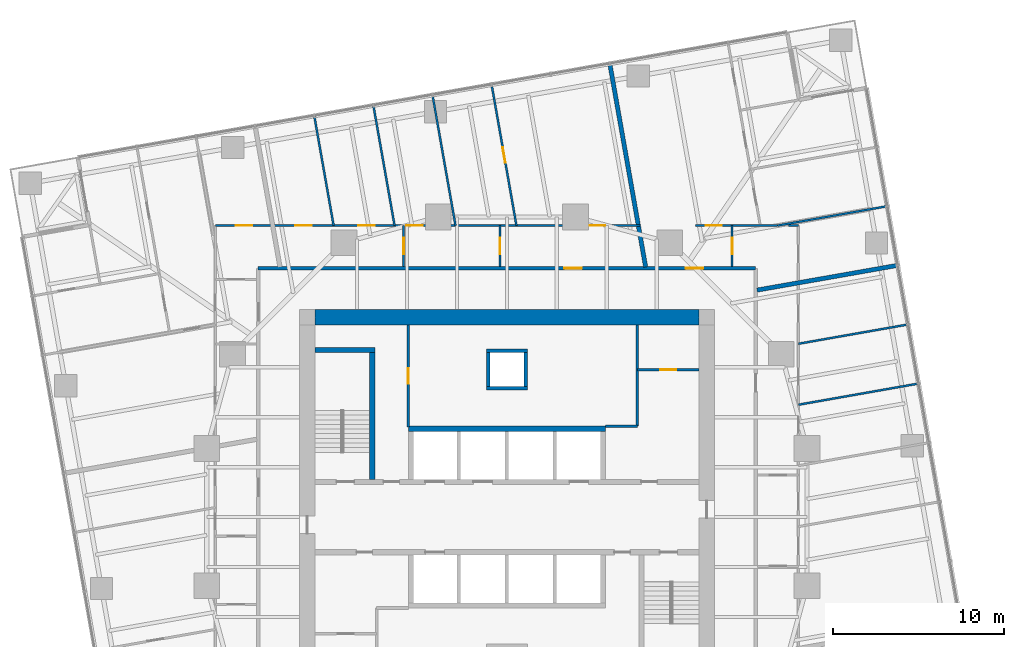
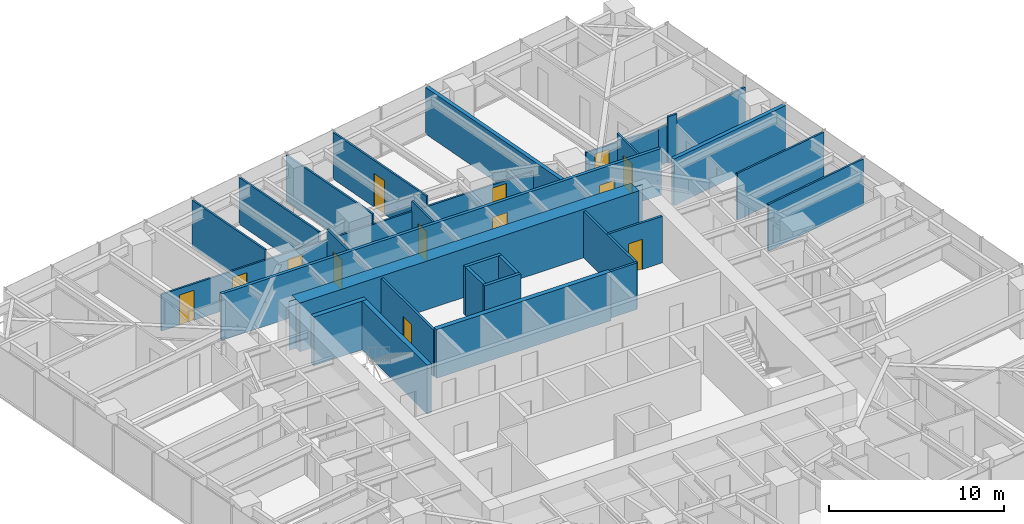
# One storey, part 12 of 14: 28 walls, 14 doors, 14 openings.
"""IFC4 building model written with IfcOpenShell, lengths in metres."""

import ifcopenshell
import ifcopenshell.guid

model = None  # the IFC model being written
_history = None  # IfcOwnerHistory: only IFC2X3 demands one
_inside = {}  # id of a spatial element -> (the spatial element, [elements in it])
_under = {}  # id of a project, library or spatial element -> (it, [spatial elements below it])
_declared = {}  # id of a project -> (the project, [libraries it declares])
_typed = {}  # id of a type object -> (the type object, [elements of that type])
_made_of = {}  # id of a material, layer set ... -> (it, [elements and type objects made of it])


def new_model(schema):
    """Start an empty IFC model of exactly this schema.

    Asked for "IFC4X3", IfcOpenShell would pick the latest addendum, in which some entities
    have other attributes; the version numbers below select the first issue.
    IFC2X3 requires an IfcOwnerHistory on every rooted entity: one is made here for all.
    """
    global model, _history
    if schema == "IFC4X3":
        model = ifcopenshell.file(schema_version=(4, 3, 0, 0))
    else:
        model = ifcopenshell.file(schema=schema)
    _inside.clear()
    _under.clear()
    _declared.clear()
    _typed.clear()
    _made_of.clear()
    _history = None
    if model.schema == "IFC2X3":
        org = make("IfcOrganization", Name="unknown")
        user = make(
            "IfcPersonAndOrganization",
            ThePerson=make("IfcPerson", FamilyName="unknown"),
            TheOrganization=org,
        )
        app = make(
            "IfcApplication",
            ApplicationDeveloper=org,
            Version="unknown",
            ApplicationFullName="unknown",
            ApplicationIdentifier="unknown",
        )
        _history = make(
            "IfcOwnerHistory",
            OwningUser=user,
            OwningApplication=app,
            ChangeAction="ADDED",
            CreationDate=0,
        )
    return model


def make(cls, **values):
    """One entity of the class cls with the attributes given. An attribute that is None is left unset."""
    return model.create_entity(
        cls, **{name: value for name, value in values.items() if value is not None}
    )


def rooted(cls, **values):
    """An entity with a GlobalId (a new one), such as an element, a storey or a relation."""
    return make(cls, GlobalId=ifcopenshell.guid.new(), OwnerHistory=_history, **values)


def si_unit(unit_type, name, prefix=None):
    """IfcSIUnit, for example si_unit("LENGTHUNIT", "METRE", prefix="MILLI")."""
    return make("IfcSIUnit", UnitType=unit_type, Prefix=prefix, Name=name)


def assignment(units):
    """IfcUnitAssignment: the units of a project."""
    return None if units is None else make("IfcUnitAssignment", Units=units)


def point(xyz):
    """IfcCartesianPoint."""
    return None if xyz is None else make("IfcCartesianPoint", Coordinates=xyz)


def direction(xyz):
    """IfcDirection."""
    return None if xyz is None else make("IfcDirection", DirectionRatios=xyz)


def frame(location, z_axis=None, x_axis=None):
    """IfcAxis2Placement3D, a coordinate frame: its origin and axes. An axis left out is left unset."""
    return make(
        "IfcAxis2Placement3D",
        Location=point(location),
        Axis=direction(z_axis),
        RefDirection=direction(x_axis),
    )


def frame_2d(location, x_axis=None):
    """IfcAxis2Placement2D, a coordinate frame in the plane: its origin and x axis."""
    return make(
        "IfcAxis2Placement2D", Location=point(location), RefDirection=direction(x_axis)
    )


def origin():
    """The frame at (0, 0, 0) with its axes left unset."""
    return frame((0.0, 0.0, 0.0))


def place(relative_to, where):
    """IfcLocalPlacement: puts the frame where relative to a parent placement (None: the world)."""
    return make(
        "IfcLocalPlacement", PlacementRelTo=relative_to, RelativePlacement=where
    )


def context(
    kind, dimensions, precision=None, world=None, true_north=None, identifier=None
):
    """IfcGeometricRepresentationContext, for example the 3D "Model" context."""
    return make(
        "IfcGeometricRepresentationContext",
        ContextIdentifier=identifier,
        ContextType=kind,
        CoordinateSpaceDimension=dimensions,
        Precision=precision,
        WorldCoordinateSystem=world,
        TrueNorth=true_north,
    )


def subcontext(parent, identifier, kind, view, scale=None):
    """IfcGeometricRepresentationSubContext, for example "Body" below "Model"."""
    return make(
        "IfcGeometricRepresentationSubContext",
        ContextIdentifier=identifier,
        ContextType=kind,
        ParentContext=parent,
        TargetScale=scale,
        TargetView=view,
    )


def project(units=None, contexts=None):
    """IfcProject with its units and contexts."""
    return rooted(
        "IfcProject",
        Name="project",
        RepresentationContexts=contexts,
        UnitsInContext=assignment(units),
    )


def spatial(cls, under=None, at=None, **own):
    """A site, building, storey or space (cls), placed at a placement, below another one or the project."""
    s = rooted(cls, ObjectPlacement=at, **own)
    if under is not None:
        _under.setdefault(under.id(), (under, []))[1].append(s)
    return s


def polyline(points):
    """IfcPolyline through the points."""
    return make("IfcPolyline", Points=[point(p) for p in points])


def profile(cls, at=None, kind="AREA", **sizes):
    """A parametric profile (cls). Its sizes go by their IFC names, for example OverallWidth=200.0."""
    return make(cls, ProfileType=kind, Position=at, **sizes)


def rectangle(**sizes):
    """IfcRectangleProfileDef."""
    return profile("IfcRectangleProfileDef", **sizes)


def outline(outer, holes=None, kind="AREA"):
    """IfcArbitraryClosedProfileDef: a profile drawn as a closed curve; with holes, ...WithVoids."""
    if holes is None:
        return make("IfcArbitraryClosedProfileDef", ProfileType=kind, OuterCurve=outer)
    return make(
        "IfcArbitraryProfileDefWithVoids",
        ProfileType=kind,
        OuterCurve=outer,
        InnerCurves=holes,
    )


def extrude(swept, where, along, depth):
    """IfcExtrudedAreaSolid: the profile swept, set in the frame where, extruded along a direction by depth."""
    return make(
        "IfcExtrudedAreaSolid",
        SweptArea=swept,
        Position=where,
        ExtrudedDirection=direction(along),
        Depth=depth,
    )


def shape(context_of_items, identifier, shape_type, items):
    """IfcShapeRepresentation: the items that make up one representation, for example the "Body"."""
    return make(
        "IfcShapeRepresentation",
        ContextOfItems=context_of_items,
        RepresentationIdentifier=identifier,
        RepresentationType=shape_type,
        Items=items,
    )


def material(Name=None, Category=None):
    """IfcMaterial."""
    return make("IfcMaterial", Name=Name, Category=Category)


def layer(
    of_material, thickness, ventilated=None, Name=None, Category=None, Priority=None
):
    """IfcMaterialLayer: one layer of a wall or slab, of a material (None: an air gap)."""
    return make(
        "IfcMaterialLayer",
        Material=of_material,
        LayerThickness=thickness,
        IsVentilated=ventilated,
        Name=Name,
        Category=Category,
        Priority=Priority,
    )


def layer_set(layers, Name=None):
    """IfcMaterialLayerSet."""
    return make("IfcMaterialLayerSet", MaterialLayers=layers, LayerSetName=Name)


def made_of(thing, what):
    """Note that an element or type object is made of a material, layer set ...; save() writes the relation."""
    if what is not None:
        _made_of.setdefault(what.id(), (what, []))[1].append(thing)
    return thing


def type_object(cls, material=None, **own):
    """A type object (cls), such as IfcWallType, which elements share."""
    return made_of(rooted(cls, **own), material)


def element(
    cls,
    number,
    at=None,
    inside=None,
    cuts=None,
    type_object=None,
    material=None,
    context=None,
    identifier="Body",
    shape_type=None,
    held_by="IfcProductDefinitionShape",
    body=None,
    shapes=None,
    **own,
):
    """One element of the class cls, such as IfcWall. Its Tag is "e" and its number.

    at: its placement. inside: the storey or other place that contains it. cuts: it is an
    opening in that element (IfcRelVoidsElement). A single representation is given by context,
    identifier, shape_type and body (its items); several are given by shapes. held_by: the class
    of the entity that holds the representations. save() writes the other relations.
    """
    e = rooted(cls, Tag="e%d" % number, ObjectPlacement=at, **own)
    if body is not None:
        shapes = [shape(context, identifier, shape_type, body)]
    if shapes is not None:
        e.Representation = make(held_by, Representations=shapes)
    if inside is not None:
        _inside.setdefault(inside.id(), (inside, []))[1].append(e)
    if cuts is not None:
        rooted(
            "IfcRelVoidsElement", RelatingBuildingElement=cuts, RelatedOpeningElement=e
        )
    if type_object is not None:
        _typed.setdefault(type_object.id(), (type_object, []))[1].append(e)
    return made_of(e, material)


def fill(opening, filler):
    """IfcRelFillsElement: the door or window that sits in an opening."""
    return rooted(
        "IfcRelFillsElement",
        RelatingOpeningElement=opening,
        RelatedBuildingElement=filler,
    )


def aggregate(whole, parts):
    """IfcRelAggregates: a whole, such as a stair, and the parts it consists of."""
    return rooted("IfcRelAggregates", RelatingObject=whole, RelatedObjects=parts)


def save(model, path):
    """Write the relations noted so far, then the file.

    IfcRelAggregates (storeys below a building ...), IfcRelContainedInSpatialStructure (elements
    in a storey), IfcRelDefinesByType, IfcRelAssociatesMaterial and IfcRelDeclares: one each for
    every whole, place, type object, material and project.
    """
    for whole, parts in _under.values():
        aggregate(whole, parts)
    for where, things in _inside.values():
        rooted(
            "IfcRelContainedInSpatialStructure",
            RelatedElements=things,
            RelatingStructure=where,
        )
    for kind, things in _typed.values():
        rooted("IfcRelDefinesByType", RelatedObjects=things, RelatingType=kind)
    for what, things in _made_of.values():
        rooted("IfcRelAssociatesMaterial", RelatedObjects=things, RelatingMaterial=what)
    for by, libraries in _declared.values():
        rooted("IfcRelDeclares", RelatingContext=by, RelatedDefinitions=libraries)
    model.write(path)


model = new_model("IFC4")

# Units and contexts
model_context = context("Model", 3, precision=1e-05, world=origin(), true_north=direction((0.0, 1.0)))
body_context = subcontext(model_context, "Body", "Model", "MODEL_VIEW")
ifc_project = project(units=[si_unit("LENGTHUNIT", "METRE"), si_unit("AREAUNIT", "SQUARE_METRE"), si_unit("VOLUMEUNIT", "CUBIC_METRE"), si_unit("PLANEANGLEUNIT", "RADIAN"), si_unit("MASSUNIT", "GRAM", prefix="KILO")], contexts=[model_context])

# Site, building, storey
site_placement = place(None, origin())
site = spatial("IfcSite", under=ifc_project, at=site_placement, CompositionType="ELEMENT")
building_placement = place(site_placement, origin())
building = spatial("IfcBuilding", under=site, at=building_placement, Name="Torsade Residences", CompositionType="ELEMENT")
storey_placement = place(building_placement, frame((0.0, 0.0, 82.800048828125)))
storey = spatial("IfcBuildingStorey", under=building, at=storey_placement, Name="L22", CompositionType="ELEMENT", Elevation=82.800048828125)

# Walls
ifc_material_1 = material(Name="Concrete 80 MPa", Category="concrete")
ifc_layer_1 = layer(ifc_material_1, 0.300048828125)
ifc_layer_set_1 = layer_set([ifc_layer_1], Name="Concrete 80 MPa")
wall_type_1 = type_object("IfcWallType", Name="CORE INTERNAL WALL 300", PredefinedType="SHEAR", material=ifc_layer_set_1)
wall_1_placement = place(storey_placement, frame((34.25, 35.14990234375, 0.0), z_axis=(0.0, 0.0, 1.0), x_axis=(1.0, 0.0, 0.0)))
element("IfcWall", 1, at=wall_1_placement, inside=storey, type_object=wall_type_1, Name="Core wall BN L22", PredefinedType="SHEAR", context=body_context, shape_type="SweptSolid", body=[
    extrude(rectangle(XDim=11.5, YDim=0.300048828125, at=frame_2d((5.75, 0.0))), origin(), (0.0, 0.0, 1.0), 3.39990234375),
])
wall_2_placement = place(storey_placement, frame((32.14990234375, 32.199951171875, 0.0), z_axis=(0.0, 0.0, 1.0), x_axis=(0.0, 1.0, 0.0)))
element("IfcWall", 2, at=wall_2_placement, inside=storey, type_object=wall_type_1, Name="Core wall ST1E L22", PredefinedType="SHEAR", context=body_context, shape_type="SweptSolid", body=[
    extrude(rectangle(XDim=7.699951171875, YDim=0.300048828125, at=frame_2d((3.85009765625, 0.0))), origin(), (0.0, 0.0, 1.0), 3.39990234375),
])
wall_3_placement = place(storey_placement, frame((28.800048828125, 39.75, 0.0), z_axis=(0.0, 0.0, 1.0), x_axis=(1.0, 0.0, 0.0)))
element("IfcWall", 3, at=wall_3_placement, inside=storey, type_object=wall_type_1, Name="Core wall ST1N L22", PredefinedType="SHEAR", context=body_context, shape_type="SweptSolid", body=[
    extrude(rectangle(XDim=3.5, YDim=0.300048828125, at=frame_2d((1.75, 0.0))), origin(), (0.0, 0.0, 1.0), 3.39990234375),
])
ifc_material_2 = material(Name="Concrete 80 MPa", Category="concrete")
ifc_layer_2 = layer(ifc_material_2, 0.89990234375)
ifc_layer_set_2 = layer_set([ifc_layer_2], Name="Concrete 80 MPa")
wall_type_2 = type_object("IfcWallType", Name="CORE WALL 900", PredefinedType="SHEAR", material=ifc_layer_set_2)
wall_4_placement = place(storey_placement, frame((28.800048828125, 41.64990234375, 0.0), z_axis=(0.0, 0.0, 1.0), x_axis=(1.0, 0.0, 0.0)))
element("IfcWall", 4, at=wall_4_placement, inside=storey, type_object=wall_type_2, Name="Core wall N L22", PredefinedType="SHEAR", context=body_context, shape_type="SweptSolid", body=[
    extrude(outline(polyline([(0.0, -0.449951171875), (22.39990234375, -0.449951171875), (22.39990234375, -0.02490234375), (22.849853515625, -0.02490234375), (22.849853515625, 0.02490234375), (22.39990234375, 0.02490234375), (22.39990234375, 0.449951171875), (0.0, 0.449951171875), (0.0, 0.02490234375), (-0.449951171875, 0.02490234375), (-0.449951171875, -0.02490234375), (0.0, -0.02490234375), (0.0, -0.449951171875)])), origin(), (0.0, 0.0, 1.0), 3.39990234375),
])

# Wall, openings, doors
ifc_material_3 = material(Name="Plasterboard on steel stud", Category="steel")
ifc_layer_3 = layer(ifc_material_3, 0.199951171875)
ifc_layer_set_3 = layer_set([ifc_layer_3], Name="Plasterboard on steel stud")
wall_type_3 = type_object("IfcWallType", Name="CORRIDOR WALL 200", PredefinedType="PARTITIONING", material=ifc_layer_set_3)
wall_5_placement = place(storey_placement, frame((54.5, 44.5, 0.0), z_axis=(0.0, 0.0, 1.0), x_axis=(-1.0, 0.0, 0.0)))
wall_5 = element("IfcWall", 5, at=wall_5_placement, inside=storey, type_object=wall_type_3, Name="Corridor wall L22", PredefinedType="PARTITIONING", context=body_context, shape_type="SweptSolid", body=[
    extrude(rectangle(XDim=29.0, YDim=0.199951171875, at=frame_2d((14.5, 0.0))), origin(), (0.0, 0.0, 1.0), 3.25),
])
opening_1_placement = place(wall_5_placement, frame((10.128662109375, 0.0, 0.0)))
opening_1 = element("IfcOpeningElement", 6, at=opening_1_placement, cuts=wall_5, Name="Opening D01", PredefinedType="OPENING", context=body_context, shape_type="SweptSolid", body=[
    extrude(rectangle(XDim=1.02001953125, YDim=2.340087890625, at=frame_2d((0.510009765625, 1.169921875))), frame((0.0, 0.10986328125, 0.0), z_axis=(0.0, -1.0, 0.0), x_axis=(1.0, 0.0, 0.0)), (0.0, 0.0, 1.0), 0.219970703125),
])
opening_2_placement = place(wall_5_placement, frame((3.0654296875, 0.0, 0.0)))
opening_2 = element("IfcOpeningElement", 7, at=opening_2_placement, cuts=wall_5, Name="Opening D01L", PredefinedType="OPENING", context=body_context, shape_type="SweptSolid", body=[
    extrude(rectangle(XDim=1.02001953125, YDim=2.10009765625, at=frame_2d((0.510009765625, 1.050048828125))), frame((0.0, 0.10986328125, 0.0), z_axis=(0.0, -1.0, 0.0), x_axis=(1.0, 0.0, 0.0)), (0.0, 0.0, 1.0), 0.219970703125),
])
ifc_material_4 = material(Name="Solid-core timber fire door", Category="wood")
door_type_1 = type_object("IfcDoorType", Name="APARTMENT ENTRY DOOR 1020x2100", OperationType="NOTDEFINED", PredefinedType="DOOR", material=ifc_material_4)
door_1_placement = place(opening_2_placement, origin())
door_1 = element("IfcDoor", 8, at=door_1_placement, inside=storey, type_object=door_type_1, Name="Door Residential corridor to Kitchen and dining", OperationType="SINGLE_SWING_LEFT", OverallHeight=2.10009765625, OverallWidth=1.02001953125, PredefinedType="DOOR", context=body_context, shape_type="SweptSolid", body=[
    extrude(rectangle(XDim=1.02001953125, YDim=2.10009765625, at=frame_2d((0.510009765625, 1.050048828125))), frame((0.0, 0.02490234375, 0.0), z_axis=(0.0, -1.0, 0.0), x_axis=(1.0, 0.0, 0.0)), (0.0, 0.0, 1.0), 0.050048828125),
])
fill(opening_2, door_1)
ifc_material_5 = material(Name="Solid-core timber fire door", Category="wood")
door_type_2 = type_object("IfcDoorType", Name="APARTMENT ENTRY DOOR 1020x2340", OperationType="NOTDEFINED", PredefinedType="DOOR", material=ifc_material_5)
door_2_placement = place(opening_1_placement, origin())
door_2 = element("IfcDoor", 9, at=door_2_placement, inside=storey, type_object=door_type_2, Name="Door Residential corridor to Kitchen and dining", OperationType="SINGLE_SWING_RIGHT", OverallHeight=2.340087890625, OverallWidth=1.02001953125, PredefinedType="DOOR", context=body_context, shape_type="SweptSolid", body=[
    extrude(rectangle(XDim=1.02001953125, YDim=2.340087890625, at=frame_2d((0.510009765625, 1.169921875))), frame((0.0, 0.02490234375, 0.0), z_axis=(0.0, -1.0, 0.0), x_axis=(1.0, 0.0, 0.0)), (0.0, 0.0, 1.0), 0.050048828125),
])
fill(opening_1, door_2)

# Walls
ifc_material_6 = material(Name="Plasterboard on steel stud", Category="steel")
ifc_layer_4 = layer(ifc_material_6, 0.1201171875)
ifc_layer_set_4 = layer_set([ifc_layer_4], Name="Plasterboard on steel stud")
wall_type_4 = type_object("IfcWallType", Name="PARTITION 120", PredefinedType="PARTITIONING", material=ifc_layer_set_4)
wall_6_placement = place(storey_placement, frame((57.0, 36.551513671875, 0.0), z_axis=(0.0, 0.0, 1.0), x_axis=(0.984809234282, 0.173639776761, 0.0)))
element("IfcWall", 10, at=wall_6_placement, inside=storey, type_object=wall_type_4, Name="Partition L22", PredefinedType="PARTITIONING", context=body_context, shape_type="SweptSolid", body=[
    extrude(rectangle(XDim=7.080810546875, YDim=0.1201171875, at=frame_2d((3.54052734375, 0.0))), origin(), (0.0, 0.0, 1.0), 3.25),
])
wall_7_placement = place(storey_placement, frame((57.0, 40.10546875, 0.0), z_axis=(0.0, 0.0, 1.0), x_axis=(0.984809025774, 0.173640959323, 0.0)))
element("IfcWall", 11, at=wall_7_placement, inside=storey, type_object=wall_type_4, Name="Partition L22", PredefinedType="PARTITIONING", context=body_context, shape_type="SweptSolid", body=[
    extrude(rectangle(XDim=6.46337890625, YDim=0.1201171875, at=frame_2d((3.231689453125, 0.0))), origin(), (0.0, 0.0, 1.0), 3.25),
])

# Wall, opening, door
wall_8_placement = place(storey_placement, frame((53.13037109375, 47.0, 0.0), z_axis=(0.0, 0.0, 1.0), x_axis=(0.0, -1.0, 0.0)))
wall_8 = element("IfcWall", 12, at=wall_8_placement, inside=storey, type_object=wall_type_4, Name="Partition L22", PredefinedType="PARTITIONING", context=body_context, shape_type="SweptSolid", body=[
    extrude(rectangle(XDim=2.39990234375, YDim=0.1201171875, at=frame_2d((1.199951171875, 0.0))), origin(), (0.0, 0.0, 1.0), 3.25),
])
opening_3_placement = place(wall_8_placement, frame((0.719970703125, 0.0, 0.0)))
opening_3 = element("IfcOpeningElement", 13, at=opening_3_placement, cuts=wall_8, Name="Opening D05", PredefinedType="OPENING", context=body_context, shape_type="SweptSolid", body=[
    extrude(rectangle(XDim=0.9599609375, YDim=2.10009765625, at=frame_2d((0.47998046875, 1.050048828125))), frame((0.0, 0.070068359375, 0.0), z_axis=(0.0, -1.0, 0.0), x_axis=(1.0, 0.0, 0.0)), (0.0, 0.0, 1.0), 0.14013671875),
])
ifc_material_7 = material(Name="Hollow-core timber door in a steel cavity frame", Category="steel")
door_type_3 = type_object("IfcDoorType", Name="BATHROOM CAVITY SLIDING DOOR 960", OperationType="SLIDING_TO_LEFT", PredefinedType="DOOR", material=ifc_material_7)
door_3_placement = place(opening_3_placement, origin())
door_3 = element("IfcDoor", 14, at=door_3_placement, inside=storey, type_object=door_type_3, Name="Door Kitchen and dining to Bathroom", OperationType="SLIDING_TO_LEFT", OverallHeight=2.10009765625, OverallWidth=0.9599609375, PredefinedType="DOOR", context=body_context, shape_type="SweptSolid", body=[
    extrude(rectangle(XDim=0.9599609375, YDim=2.10009765625, at=frame_2d((0.47998046875, 1.050048828125))), frame((0.0, 0.02490234375, 0.0), z_axis=(0.0, -1.0, 0.0), x_axis=(1.0, 0.0, 0.0)), (0.0, 0.0, 1.0), 0.050048828125),
])
fill(opening_3, door_3)

# Wall, openings, doors
wall_9_placement = place(storey_placement, frame((23.0, 47.0, 0.0), z_axis=(0.0, 0.0, 1.0), x_axis=(1.0, 0.0, 0.0)))
wall_9 = element("IfcWall", 15, at=wall_9_placement, inside=storey, type_object=wall_type_4, Name="Partition L22", PredefinedType="PARTITIONING", context=body_context, shape_type="SweptSolid", body=[
    extrude(rectangle(XDim=24.771240234375, YDim=0.1201171875, at=frame_2d((12.3857421875, 0.0))), origin(), (0.0, 0.0, 1.0), 2.550048828125),
])
opening_4_placement = place(wall_9_placement, frame((21.824951171875, 0.0, 0.0)))
opening_4 = element("IfcOpeningElement", 16, at=opening_4_placement, cuts=wall_9, Name="Opening D02", PredefinedType="OPENING", context=body_context, shape_type="SweptSolid", body=[
    extrude(rectangle(XDim=0.919921875, YDim=2.340087890625, at=frame_2d((0.4599609375, 1.169921875))), frame((0.0, 0.070068359375, 0.0), z_axis=(0.0, -1.0, 0.0), x_axis=(1.0, 0.0, 0.0)), (0.0, 0.0, 1.0), 0.14013671875),
])
opening_5_placement = place(wall_9_placement, frame((11.135009765625, 0.0, 0.0)))
opening_5 = element("IfcOpeningElement", 17, at=opening_5_placement, cuts=wall_9, Name="Opening D05", PredefinedType="OPENING", context=body_context, shape_type="SweptSolid", body=[
    extrude(rectangle(XDim=0.9599609375, YDim=2.10009765625, at=frame_2d((0.47998046875, 1.050048828125))), frame((0.0, 0.070068359375, 0.0), z_axis=(0.0, -1.0, 0.0), x_axis=(1.0, 0.0, 0.0)), (0.0, 0.0, 1.0), 0.14013671875),
])
opening_6_placement = place(wall_9_placement, frame((1.190185546875, 0.0, 0.0)))
opening_6 = element("IfcOpeningElement", 18, at=opening_6_placement, cuts=wall_9, Name="Opening D05", PredefinedType="OPENING", context=body_context, shape_type="SweptSolid", body=[
    extrude(rectangle(XDim=0.9599609375, YDim=2.10009765625, at=frame_2d((0.47998046875, 1.050048828125))), frame((0.0, 0.070068359375, 0.0), z_axis=(0.0, -1.0, 0.0), x_axis=(1.0, 0.0, 0.0)), (0.0, 0.0, 1.0), 0.14013671875),
])
opening_7_placement = place(wall_9_placement, frame((8.341552734375, 0.0, 0.0)))
opening_7 = element("IfcOpeningElement", 19, at=opening_7_placement, cuts=wall_9, Name="Opening D05", PredefinedType="OPENING", context=body_context, shape_type="SweptSolid", body=[
    extrude(rectangle(XDim=0.9599609375, YDim=2.10009765625, at=frame_2d((0.47998046875, 1.050048828125))), frame((0.0, 0.070068359375, 0.0), z_axis=(0.0, -1.0, 0.0), x_axis=(1.0, 0.0, 0.0)), (0.0, 0.0, 1.0), 0.14013671875),
])
opening_8_placement = place(wall_9_placement, frame((4.662841796875, 0.0, 0.0)))
opening_8 = element("IfcOpeningElement", 20, at=opening_8_placement, cuts=wall_9, Name="Opening D05", PredefinedType="OPENING", context=body_context, shape_type="SweptSolid", body=[
    extrude(rectangle(XDim=0.9599609375, YDim=2.10009765625, at=frame_2d((0.47998046875, 1.050048828125))), frame((0.0, 0.070068359375, 0.0), z_axis=(0.0, -1.0, 0.0), x_axis=(1.0, 0.0, 0.0)), (0.0, 0.0, 1.0), 0.14013671875),
])
door_4_placement = place(opening_5_placement, origin())
door_4 = element("IfcDoor", 21, at=door_4_placement, inside=storey, type_object=door_type_3, Name="Door Ensuite to Bedroom 2", OperationType="SLIDING_TO_LEFT", OverallHeight=2.10009765625, OverallWidth=0.9599609375, PredefinedType="DOOR", context=body_context, shape_type="SweptSolid", body=[
    extrude(rectangle(XDim=0.9599609375, YDim=2.10009765625, at=frame_2d((0.47998046875, 1.050048828125))), frame((0.0, 0.02490234375, 0.0), z_axis=(0.0, -1.0, 0.0), x_axis=(1.0, 0.0, 0.0)), (0.0, 0.0, 1.0), 0.050048828125),
])
fill(opening_5, door_4)
door_5_placement = place(opening_6_placement, origin())
door_5 = element("IfcDoor", 22, at=door_5_placement, inside=storey, type_object=door_type_3, Name="Door WC to Family room", OperationType="SLIDING_TO_LEFT", OverallHeight=2.10009765625, OverallWidth=0.9599609375, PredefinedType="DOOR", context=body_context, shape_type="SweptSolid", body=[
    extrude(rectangle(XDim=0.9599609375, YDim=2.10009765625, at=frame_2d((0.47998046875, 1.050048828125))), frame((0.0, 0.02490234375, 0.0), z_axis=(0.0, -1.0, 0.0), x_axis=(1.0, 0.0, 0.0)), (0.0, 0.0, 1.0), 0.050048828125),
])
fill(opening_6, door_5)
door_6_placement = place(opening_7_placement, origin())
door_6 = element("IfcDoor", 23, at=door_6_placement, inside=storey, type_object=door_type_3, Name="Door Bathroom to Study", OperationType="SLIDING_TO_LEFT", OverallHeight=2.10009765625, OverallWidth=0.9599609375, PredefinedType="DOOR", context=body_context, shape_type="SweptSolid", body=[
    extrude(rectangle(XDim=0.9599609375, YDim=2.10009765625, at=frame_2d((0.47998046875, 1.050048828125))), frame((0.0, 0.02490234375, 0.0), z_axis=(0.0, -1.0, 0.0), x_axis=(1.0, 0.0, 0.0)), (0.0, 0.0, 1.0), 0.050048828125),
])
fill(opening_7, door_6)
door_7_placement = place(opening_8_placement, origin())
door_7 = element("IfcDoor", 24, at=door_7_placement, inside=storey, type_object=door_type_3, Name="Door Bathroom to Family room", OperationType="SLIDING_TO_LEFT", OverallHeight=2.10009765625, OverallWidth=0.9599609375, PredefinedType="DOOR", context=body_context, shape_type="SweptSolid", body=[
    extrude(rectangle(XDim=0.9599609375, YDim=2.10009765625, at=frame_2d((0.47998046875, 1.050048828125))), frame((0.0, 0.02490234375, 0.0), z_axis=(0.0, -1.0, 0.0), x_axis=(1.0, 0.0, 0.0)), (0.0, 0.0, 1.0), 0.050048828125),
])
fill(opening_8, door_7)
ifc_material_8 = material(Name="Hollow-core timber door", Category="wood")
door_type_4 = type_object("IfcDoorType", Name="INTERNAL DOOR 920x2340", OperationType="NOTDEFINED", PredefinedType="DOOR", material=ifc_material_8)
door_8_placement = place(opening_4_placement, origin())
door_8 = element("IfcDoor", 25, at=door_8_placement, inside=storey, type_object=door_type_4, Name="Door Kitchen and dining to Living room", OperationType="SINGLE_SWING_LEFT", OverallHeight=2.340087890625, OverallWidth=0.919921875, PredefinedType="DOOR", context=body_context, shape_type="SweptSolid", body=[
    extrude(rectangle(XDim=0.919921875, YDim=2.340087890625, at=frame_2d((0.4599609375, 1.169921875))), frame((0.0, 0.02490234375, 0.0), z_axis=(0.0, -1.0, 0.0), x_axis=(1.0, 0.0, 0.0)), (0.0, 0.0, 1.0), 0.050048828125),
])
fill(opening_4, door_8)

# Wall, opening, door
wall_10_placement = place(storey_placement, frame((51.0, 47.0, 0.0), z_axis=(0.0, 0.0, 1.0), x_axis=(1.0, 0.0, 0.0)))
wall_10 = element("IfcWall", 26, at=wall_10_placement, inside=storey, type_object=wall_type_4, Name="Partition L22", PredefinedType="PARTITIONING", context=body_context, shape_type="SweptSolid", body=[
    extrude(rectangle(XDim=4.7890625, YDim=0.1201171875, at=frame_2d((2.39453125, 0.0))), origin(), (0.0, 0.0, 1.0), 2.637939453125),
])
opening_9_placement = place(wall_10_placement, frame((0.605224609375, 0.0, 0.0)))
opening_9 = element("IfcOpeningElement", 27, at=opening_9_placement, cuts=wall_10, Name="Opening D02", PredefinedType="OPENING", context=body_context, shape_type="SweptSolid", body=[
    extrude(rectangle(XDim=0.919921875, YDim=2.340087890625, at=frame_2d((0.4599609375, 1.169921875))), frame((0.0, 0.070068359375, 0.0), z_axis=(0.0, -1.0, 0.0), x_axis=(1.0, 0.0, 0.0)), (0.0, 0.0, 1.0), 0.14013671875),
])
door_9_placement = place(opening_9_placement, origin())
door_9 = element("IfcDoor", 28, at=door_9_placement, inside=storey, type_object=door_type_4, Name="Door Kitchen and dining to Living room", OperationType="SINGLE_SWING_RIGHT", OverallHeight=2.340087890625, OverallWidth=0.919921875, PredefinedType="DOOR", context=body_context, shape_type="SweptSolid", body=[
    extrude(rectangle(XDim=0.919921875, YDim=2.340087890625, at=frame_2d((0.4599609375, 1.169921875))), frame((0.0, 0.02490234375, 0.0), z_axis=(0.0, -1.0, 0.0), x_axis=(1.0, 0.0, 0.0)), (0.0, 0.0, 1.0), 0.050048828125),
])
fill(opening_9, door_9)

# Wall
wall_11_placement = place(storey_placement, frame((62.149658203125, 48.12158203125, 0.0), z_axis=(0.0, 0.0, 1.0), x_axis=(-0.984806762864, -0.173653792983, 0.0)))
element("IfcWall", 29, at=wall_11_placement, inside=storey, type_object=wall_type_4, Name="Partition L22", PredefinedType="PARTITIONING", context=body_context, shape_type="SweptSolid", body=[
    extrude(rectangle(XDim=6.458740234375, YDim=0.1201171875, at=frame_2d((3.2294921875, 0.0))), origin(), (0.0, 0.0, 1.0), 2.637939453125),
])

# Wall, opening, door
wall_12_placement = place(storey_placement, frame((39.595703125, 44.60009765625, 0.0), z_axis=(0.0, 0.0, 1.0), x_axis=(0.0, 1.0, 0.0)))
wall_12 = element("IfcWall", 30, at=wall_12_placement, inside=storey, type_object=wall_type_4, Name="Partition L22", PredefinedType="PARTITIONING", context=body_context, shape_type="SweptSolid", body=[
    extrude(rectangle(XDim=2.39990234375, YDim=0.1201171875, at=frame_2d((1.199951171875, 0.0))), origin(), (0.0, 0.0, 1.0), 3.25),
])
opening_10_placement = place(wall_12_placement, frame((0.719970703125, 0.0, 0.0)))
opening_10 = element("IfcOpeningElement", 31, at=opening_10_placement, cuts=wall_12, Name="Opening D05", PredefinedType="OPENING", context=body_context, shape_type="SweptSolid", body=[
    extrude(rectangle(XDim=0.9599609375, YDim=2.10009765625, at=frame_2d((0.47998046875, 1.050048828125))), frame((0.0, 0.070068359375, 0.0), z_axis=(0.0, -1.0, 0.0), x_axis=(1.0, 0.0, 0.0)), (0.0, 0.0, 1.0), 0.14013671875),
])
door_10_placement = place(opening_10_placement, origin())
door_10 = element("IfcDoor", 32, at=door_10_placement, inside=storey, type_object=door_type_3, Name="Door Kitchen and dining to Ensuite", OperationType="SLIDING_TO_LEFT", OverallHeight=2.10009765625, OverallWidth=0.9599609375, PredefinedType="DOOR", context=body_context, shape_type="SweptSolid", body=[
    extrude(rectangle(XDim=0.9599609375, YDim=2.10009765625, at=frame_2d((0.47998046875, 1.050048828125))), frame((0.0, 0.02490234375, 0.0), z_axis=(0.0, -1.0, 0.0), x_axis=(1.0, 0.0, 0.0)), (0.0, 0.0, 1.0), 0.050048828125),
])
fill(opening_10, door_10)

wall_13_placement = place(storey_placement, frame((33.976806640625, 47.0, 0.0), z_axis=(0.0, 0.0, 1.0), x_axis=(0.0, -1.0, 0.0)))
wall_13 = element("IfcWall", 33, at=wall_13_placement, inside=storey, type_object=wall_type_4, Name="Partition L22", PredefinedType="PARTITIONING", context=body_context, shape_type="SweptSolid", body=[
    extrude(rectangle(XDim=2.39990234375, YDim=0.1201171875, at=frame_2d((1.199951171875, 0.0))), origin(), (0.0, 0.0, 1.0), 3.25),
])
opening_11_placement = place(wall_13_placement, frame((0.719970703125, 0.0, 0.0)))
opening_11 = element("IfcOpeningElement", 34, at=opening_11_placement, cuts=wall_13, Name="Opening D05", PredefinedType="OPENING", context=body_context, shape_type="SweptSolid", body=[
    extrude(rectangle(XDim=0.9599609375, YDim=2.10009765625, at=frame_2d((0.47998046875, 1.050048828125))), frame((0.0, 0.070068359375, 0.0), z_axis=(0.0, -1.0, 0.0), x_axis=(1.0, 0.0, 0.0)), (0.0, 0.0, 1.0), 0.14013671875),
])
door_11_placement = place(opening_11_placement, origin())
door_11 = element("IfcDoor", 35, at=door_11_placement, inside=storey, type_object=door_type_3, Name="Door Ensuite to Bathroom", OperationType="SLIDING_TO_LEFT", OverallHeight=2.10009765625, OverallWidth=0.9599609375, PredefinedType="DOOR", context=body_context, shape_type="SweptSolid", body=[
    extrude(rectangle(XDim=0.9599609375, YDim=2.10009765625, at=frame_2d((0.47998046875, 1.050048828125))), frame((0.0, 0.02490234375, 0.0), z_axis=(0.0, -1.0, 0.0), x_axis=(1.0, 0.0, 0.0)), (0.0, 0.0, 1.0), 0.050048828125),
])
fill(opening_11, door_11)

wall_14_placement = place(storey_placement, frame((40.556396484375, 47.0, 0.0), z_axis=(0.0, 0.0, 1.0), x_axis=(-0.173647980238, 0.984807787824, 0.0)))
wall_14 = element("IfcWall", 36, at=wall_14_placement, inside=storey, type_object=wall_type_4, Name="Partition L22", PredefinedType="PARTITIONING", context=body_context, shape_type="SweptSolid", body=[
    extrude(rectangle(XDim=8.314697265625, YDim=0.1201171875, at=frame_2d((4.1572265625, 0.0))), origin(), (0.0, 0.0, 1.0), 3.25),
])
opening_12_placement = place(wall_14_placement, frame((3.717529296875, 0.0, 0.0)))
opening_12 = element("IfcOpeningElement", 37, at=opening_12_placement, cuts=wall_14, Name="Opening D02", PredefinedType="OPENING", context=body_context, shape_type="SweptSolid", body=[
    extrude(rectangle(XDim=0.919921875, YDim=2.340087890625, at=frame_2d((0.4599609375, 1.169921875))), frame((0.0, 0.070068359375, 0.0), z_axis=(0.0, -1.0, 0.0), x_axis=(1.0, 0.0, 0.0)), (0.0, 0.0, 1.0), 0.14013671875),
])
door_12_placement = place(opening_12_placement, origin())
door_12 = element("IfcDoor", 38, at=door_12_placement, inside=storey, type_object=door_type_4, Name="Door Living room to Bedroom 1", OperationType="SINGLE_SWING_RIGHT", OverallHeight=2.340087890625, OverallWidth=0.919921875, PredefinedType="DOOR", context=body_context, shape_type="SweptSolid", body=[
    extrude(rectangle(XDim=0.919921875, YDim=2.340087890625, at=frame_2d((0.4599609375, 1.169921875))), frame((0.0, 0.02490234375, 0.0), z_axis=(0.0, -1.0, 0.0), x_axis=(1.0, 0.0, 0.0)), (0.0, 0.0, 1.0), 0.050048828125),
])
fill(opening_12, door_12)

# Walls
wall_15_placement = place(storey_placement, frame((37.00244140625, 47.0, 0.0), z_axis=(0.0, 0.0, 1.0), x_axis=(-0.173644207293, 0.984808453088, 0.0)))
element("IfcWall", 39, at=wall_15_placement, inside=storey, type_object=wall_type_4, Name="Partition L22", PredefinedType="PARTITIONING", context=body_context, shape_type="SweptSolid", body=[
    extrude(rectangle(XDim=7.69775390625, YDim=0.1201171875, at=frame_2d((3.848876953125, 0.0))), origin(), (0.0, 0.0, 1.0), 3.25),
])
wall_16_placement = place(storey_placement, frame((33.448486328125, 47.0, 0.0), z_axis=(0.0, 0.0, 1.0), x_axis=(-0.173639776761, 0.984809234282, 0.0)))
element("IfcWall", 40, at=wall_16_placement, inside=storey, type_object=wall_type_4, Name="Partition L22", PredefinedType="PARTITIONING", context=body_context, shape_type="SweptSolid", body=[
    extrude(rectangle(XDim=7.080810546875, YDim=0.1201171875, at=frame_2d((3.54052734375, 0.0))), origin(), (0.0, 0.0, 1.0), 3.25),
])
wall_17_placement = place(storey_placement, frame((29.89453125, 47.0, 0.0), z_axis=(0.0, 0.0, 1.0), x_axis=(-0.173640959323, 0.984809025774, 0.0)))
element("IfcWall", 41, at=wall_17_placement, inside=storey, type_object=wall_type_4, Name="Partition L22", PredefinedType="PARTITIONING", context=body_context, shape_type="SweptSolid", body=[
    extrude(rectangle(XDim=6.46337890625, YDim=0.1201171875, at=frame_2d((3.231689453125, 0.0))), origin(), (0.0, 0.0, 1.0), 3.25),
])
wall_18_placement = place(storey_placement, frame((57.0, 47.0, 0.0), z_axis=(0.0, 0.0, 1.0), x_axis=(-1.0, 0.0, 0.0)))
element("IfcWall", 42, at=wall_18_placement, inside=storey, type_object=wall_type_4, Name="Partition L22", PredefinedType="PARTITIONING", context=body_context, shape_type="SweptSolid", body=[
    extrude(rectangle(XDim=0.57763671875, YDim=0.1201171875, at=frame_2d((0.288818359375, 0.0))), origin(), (0.0, 0.0, 1.0), 3.25),
])
ifc_material_9 = material(Name="Masonry-lined stud party wall", Category="masonry")
ifc_layer_5 = layer(ifc_material_9, 0.25)
ifc_layer_set_5 = layer_set([ifc_layer_5], Name="Masonry-lined stud party wall")
wall_type_5 = type_object("IfcWallType", Name="PARTY WALL 250", PredefinedType="PARTITIONING", material=ifc_layer_set_5)
wall_19_placement = place(storey_placement, frame((62.796875, 44.681640625, 0.0), z_axis=(0.0, 0.0, 1.0), x_axis=(-0.984807121942, -0.173651756605, 0.0)))
element("IfcWall", 43, at=wall_19_placement, inside=storey, type_object=wall_type_5, Name="Party wall L22", PredefinedType="PARTITIONING", context=body_context, shape_type="SweptSolid", body=[
    extrude(rectangle(XDim=8.34130859375, YDim=0.25, at=frame_2d((4.170654296875, 0.0))), origin(), (0.0, 0.0, 1.0), 3.25),
])
wall_20_placement = place(storey_placement, frame((45.999267578125, 56.443603515625, 0.0), z_axis=(0.0, 0.0, 1.0), x_axis=(0.173654664517, -0.984806609184, 0.0)))
element("IfcWall", 44, at=wall_20_placement, inside=storey, type_object=wall_type_5, Name="Party wall L22", PredefinedType="PARTITIONING", context=body_context, shape_type="SweptSolid", body=[
    extrude(rectangle(XDim=12.04443359375, YDim=0.25, at=frame_2d((6.022216796875, 0.0))), origin(), (0.0, 0.0, 1.0), 3.25),
])
ifc_material_10 = material(Name="Reinforced blockwork", Category="masonry")
ifc_layer_6 = layer(ifc_material_10, 0.199951171875)
ifc_layer_set_6 = layer_set([ifc_layer_6], Name="Reinforced blockwork")
wall_type_6 = type_object("IfcWallType", Name="RISER SHAFT WALL 200", PredefinedType="SOLIDWALL", material=ifc_layer_set_6)
for number, where, z_axis, x_axis, name in (
    (45, (38.89990234375, 37.60009765625, 0.0), (0.0, 0.0, 1.0), (0.0, 1.0, 0.0), "Core wall RS1a L22"),
    (46, (41.10009765625, 37.60009765625, 0.0), (0.0, 0.0, 1.0), (0.0, 1.0, 0.0), "Core wall RS1b L22"),
):
    element("IfcWall", number, at=place(storey_placement, frame(where, z_axis=z_axis, x_axis=x_axis)), inside=storey, type_object=wall_type_6, Name=name, PredefinedType="SOLIDWALL", context=body_context, shape_type="SweptSolid", body=[
        extrude(rectangle(XDim=2.0, YDim=0.199951171875, at=frame_2d((1.0, 0.0))), origin(), (0.0, 0.0, 1.0), 3.39990234375),
    ])
for number, where, z_axis, x_axis, name in (
    (47, (38.800048828125, 37.5, 0.0), (0.0, 0.0, 1.0), (1.0, 0.0, 0.0), "Core wall RS1c L22"),
    (48, (38.800048828125, 39.699951171875, 0.0), (0.0, 0.0, 1.0), (1.0, 0.0, 0.0), "Core wall RS1d L22"),
):
    element("IfcWall", number, at=place(storey_placement, frame(where, z_axis=z_axis, x_axis=x_axis)), inside=storey, type_object=wall_type_6, Name=name, PredefinedType="SOLIDWALL", context=body_context, shape_type="SweptSolid", body=[
        extrude(rectangle(XDim=2.39990234375, YDim=0.199951171875, at=frame_2d((1.199951171875, 0.0))), origin(), (0.0, 0.0, 1.0), 3.39990234375),
    ])

# Wall, opening, door
ifc_material_11 = material(Name="Reinforced blockwork", Category="masonry")
ifc_layer_7 = layer(ifc_material_11, 0.14990234375)
ifc_layer_set_7 = layer_set([ifc_layer_7], Name="Reinforced blockwork")
wall_type_7 = type_object("IfcWallType", Name="SERVICE ROOM WALL 150", PredefinedType="SOLIDWALL", material=ifc_layer_set_7)
wall_21_placement = place(storey_placement, frame((34.25, 41.199951171875, 0.0), z_axis=(0.0, 0.0, 1.0), x_axis=(0.0, -1.0, 0.0)))
wall_21 = element("IfcWall", 49, at=wall_21_placement, inside=storey, type_object=wall_type_7, Name="Service room wall L22", PredefinedType="SOLIDWALL", context=body_context, shape_type="SweptSolid", body=[
    extrude(rectangle(XDim=5.949951171875, YDim=0.14990234375, at=frame_2d((2.97509765625, 0.0))), origin(), (0.0, 0.0, 1.0), 3.25),
])
opening_13_placement = place(wall_21_placement, frame((2.514892578125, 0.0, 0.0)))
opening_13 = element("IfcOpeningElement", 50, at=opening_13_placement, cuts=wall_21, Name="Opening D06", PredefinedType="OPENING", context=body_context, shape_type="SweptSolid", body=[
    extrude(rectangle(XDim=0.919921875, YDim=2.10009765625, at=frame_2d((0.4599609375, 1.050048828125))), frame((0.0, 0.0849609375, 0.0), z_axis=(0.0, -1.0, 0.0), x_axis=(1.0, 0.0, 0.0)), (0.0, 0.0, 1.0), 0.169921875),
])
ifc_material_12 = material(Name="Steel-framed fire door", Category="steel")
door_type_5 = type_object("IfcDoorType", Name="FIRE DOOR 920", OperationType="NOTDEFINED", PredefinedType="DOOR", material=ifc_material_12)
door_13_placement = place(opening_13_placement, origin())
door_13 = element("IfcDoor", 51, at=door_13_placement, inside=storey, type_object=door_type_5, Name="Door Main switchboard store to Electrical riser room", OperationType="SINGLE_SWING_RIGHT", OverallHeight=2.10009765625, OverallWidth=0.919921875, PredefinedType="DOOR", context=body_context, shape_type="SweptSolid", body=[
    extrude(rectangle(XDim=0.919921875, YDim=2.10009765625, at=frame_2d((0.4599609375, 1.050048828125))), frame((0.0, 0.02490234375, 0.0), z_axis=(0.0, -1.0, 0.0), x_axis=(1.0, 0.0, 0.0)), (0.0, 0.0, 1.0), 0.050048828125),
])
fill(opening_13, door_13)

# Walls
wall_22_placement = place(storey_placement, frame((47.60009765625, 41.199951171875, 0.0), z_axis=(0.0, 0.0, 1.0), x_axis=(0.0, -1.0, 0.0)))
element("IfcWall", 52, at=wall_22_placement, inside=storey, type_object=wall_type_7, Name="Service room wall L22", PredefinedType="SOLIDWALL", context=body_context, shape_type="SweptSolid", body=[
    extrude(rectangle(XDim=5.89990234375, YDim=0.14990234375, at=frame_2d((2.949951171875, 0.0))), origin(), (0.0, 0.0, 1.0), 3.25),
])
wall_23_placement = place(storey_placement, frame((47.60009765625, 35.300048828125, 0.0), z_axis=(0.0, 0.0, 1.0), x_axis=(-1.0, 0.0, 0.0)))
element("IfcWall", 53, at=wall_23_placement, inside=storey, type_object=wall_type_7, Name="Service room wall L22", PredefinedType="SOLIDWALL", context=body_context, shape_type="SweptSolid", body=[
    extrude(rectangle(XDim=1.85009765625, YDim=0.14990234375, at=frame_2d((0.925048828125, 0.0))), origin(), (0.0, 0.0, 1.0), 3.25),
])

# Wall, opening, door
wall_24_placement = place(storey_placement, frame((47.60009765625, 38.60009765625, 0.0), z_axis=(0.0, 0.0, 1.0), x_axis=(1.0, 0.0, 0.0)))
wall_24 = element("IfcWall", 54, at=wall_24_placement, inside=storey, type_object=wall_type_7, Name="Service room wall L22", PredefinedType="SOLIDWALL", context=body_context, shape_type="SweptSolid", body=[
    extrude(rectangle(XDim=3.599853515625, YDim=0.14990234375, at=frame_2d((1.7998046875, 0.0))), origin(), (0.0, 0.0, 1.0), 3.25),
])
opening_14_placement = place(wall_24_placement, frame((1.340087890625, 0.0, 0.0)))
opening_14 = element("IfcOpeningElement", 55, at=opening_14_placement, cuts=wall_24, Name="Opening D06", PredefinedType="OPENING", context=body_context, shape_type="SweptSolid", body=[
    extrude(rectangle(XDim=0.919921875, YDim=2.10009765625, at=frame_2d((0.4599609375, 1.050048828125))), frame((0.0, 0.0849609375, 0.0), z_axis=(0.0, -1.0, 0.0), x_axis=(1.0, 0.0, 0.0)), (0.0, 0.0, 1.0), 0.169921875),
])
door_14_placement = place(opening_14_placement, origin())
door_14 = element("IfcDoor", 56, at=door_14_placement, inside=storey, type_object=door_type_5, Name="Door Refuse room to Bulky waste store", OperationType="SINGLE_SWING_LEFT", OverallHeight=2.10009765625, OverallWidth=0.919921875, PredefinedType="DOOR", context=body_context, shape_type="SweptSolid", body=[
    extrude(rectangle(XDim=0.919921875, YDim=2.10009765625, at=frame_2d((0.4599609375, 1.050048828125))), frame((0.0, 0.02490234375, 0.0), z_axis=(0.0, -1.0, 0.0), x_axis=(1.0, 0.0, 0.0)), (0.0, 0.0, 1.0), 0.050048828125),
])
fill(opening_14, door_14)

save(model, "model.ifc")
